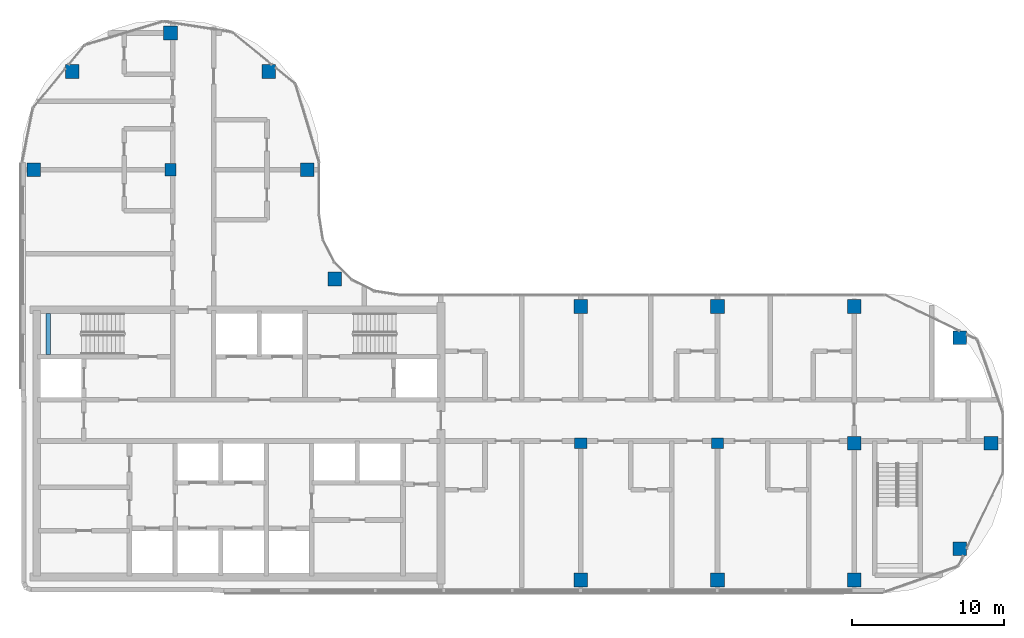
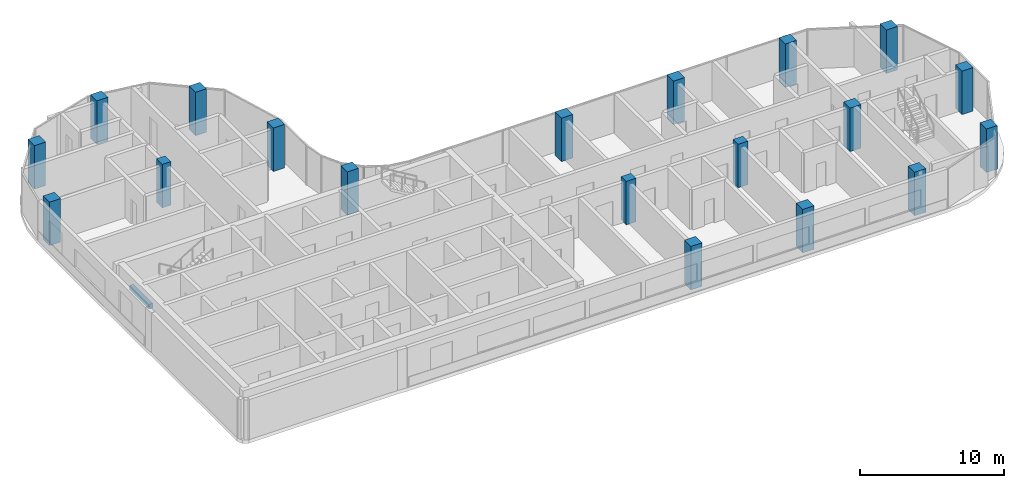
# One storey, part 1 of 20: 19 columns, 1 beam.
"""IFC4 building model written with IfcOpenShell, lengths in metres."""

from ifc_helpers import new_model, si_unit, direction, frame, origin, origin_2d, place, context, subcontext, project, spatial, rectangle, extrude, material, material_profile, profile_set, type_object, element, save


model = new_model("IFC4")

# Units and contexts
model_context = context("Model", 3, precision=1e-05, world=origin(), true_north=direction((0.0, 1.0)))
body_context = subcontext(model_context, "Body", "Model", "MODEL_VIEW")
ifc_project = project(units=[si_unit("LENGTHUNIT", "METRE"), si_unit("AREAUNIT", "SQUARE_METRE"), si_unit("VOLUMEUNIT", "CUBIC_METRE"), si_unit("PLANEANGLEUNIT", "RADIAN"), si_unit("MASSUNIT", "GRAM", prefix="KILO")], contexts=[model_context])

# Site, building, storey
site_placement = place(None, origin())
site = spatial("IfcSite", under=ifc_project, at=site_placement, CompositionType="ELEMENT")
building_placement = place(site_placement, origin())
building = spatial("IfcBuilding", under=site, at=building_placement, Name="Ogive Portal Towers", CompositionType="ELEMENT")
storey_placement = place(building_placement, frame((0.0, 0.0, 210.60009765625)))
storey = spatial("IfcBuildingStorey", under=building, at=storey_placement, Name="L52", CompositionType="ELEMENT", Elevation=210.60009765625)

# Columns
ifc_material_1 = material(Name="Concrete C60/75", Category="concrete")
ifc_material_profile_1 = material_profile(ifc_material_1, rectangle(XDim=0.800048828125, YDim=0.699951171875, at=origin_2d()), Name="RC 800x700")
ifc_profile_set_1 = profile_set([ifc_material_profile_1], Name="Concrete C60/75")
column_type_1 = type_object("IfcColumnType", Name="COLUMN RC 800x700", PredefinedType="COLUMN", material=ifc_profile_set_1)
for number, where, z_axis, x_axis, name in (
    (1, (67.5, 30.5, 0.0), (0.0, 0.0, 1.0), (1.0, 0.0, 0.0), "Column 5/B L52"),
    (2, (76.5, 30.5, 0.0), (0.0, 0.0, 1.0), (1.0, 0.0, 0.0), "Column 6/B L52"),
    (3, (40.5, 48.5, 0.0), (0.0, 0.0, 1.0), (0.0, 1.0, 0.0), "Column 2/D L52"),
):
    element("IfcColumn", number, at=place(storey_placement, frame(where, z_axis=z_axis, x_axis=x_axis)), inside=storey, type_object=column_type_1, Name=name, PredefinedType="COLUMN", context=body_context, shape_type="SweptSolid", body=[
        extrude(rectangle(XDim=0.800048828125, YDim=0.699951171875, at=origin_2d()), origin(), (0.0, 0.0, 1.0), 3.699951171875),
    ])
ifc_material_profile_2 = material_profile(ifc_material_1, rectangle(XDim=0.89990234375, YDim=0.89990234375, at=origin_2d()), Name="RC 900x900")
ifc_profile_set_2 = profile_set([ifc_material_profile_2], Name="Concrete C60/75")
column_type_2 = type_object("IfcColumnType", Name="COLUMN RC 900x900", PredefinedType="COLUMN", material=ifc_profile_set_2)
for number, where, z_axis, x_axis, name in (
    (4, (67.5, 21.5, 0.0), (0.0, 0.0, 1.0), (1.0, 0.0, 0.0), "Column 5/A L52"),
    (5, (76.5, 21.5, 0.0), (0.0, 0.0, 1.0), (1.0, 0.0, 0.0), "Column 6/A L52"),
    (6, (85.5, 21.5, 0.0), (0.0, 0.0, 1.0), (1.0, 0.0, 0.0), "Column 7/A L52"),
    (7, (92.449951171875, 23.550048828125, 0.0), (0.0, 0.0, 1.0), (1.0, 0.0, 0.0), "Column L52"),
    (8, (85.5, 30.5, 0.0), (0.0, 0.0, 1.0), (1.0, 0.0, 0.0), "Column 7/B L52"),
    (9, (94.5, 30.5, 0.0), (0.0, 0.0, 1.0), (1.0, 0.0, 0.0), "Column 8/B L52"),
    (10, (92.449951171875, 37.449951171875, 0.0), (0.0, 0.0, 1.0), (1.0, 0.0, 0.0), "Column L52"),
    (11, (67.5, 39.5, 0.0), (0.0, 0.0, 1.0), (1.0, 0.0, 0.0), "Column 5/C L52"),
    (12, (76.5, 39.5, 0.0), (0.0, 0.0, 1.0), (1.0, 0.0, 0.0), "Column 6/C L52"),
    (13, (85.5, 39.5, 0.0), (0.0, 0.0, 1.0), (1.0, 0.0, 0.0), "Column 7/C L52"),
    (14, (51.31005859375, 41.31005859375, 0.0), (0.0, 0.0, 1.0), (1.0, 0.0, 0.0), "Column L52"),
    (15, (31.5, 48.5, 0.0), (0.0, 0.0, 1.0), (1.0, 0.0, 0.0), "Column 1/D L52"),
    (16, (49.5, 48.5, 0.0), (0.0, 0.0, 1.0), (1.0, 0.0, 0.0), "Column 3/D L52"),
    (17, (34.027099609375, 54.972900390625, 0.0), (0.0, 0.0, 1.0), (1.0, 0.0, 0.0), "Column L52"),
    (18, (46.972900390625, 54.972900390625, 0.0), (0.0, 0.0, 1.0), (1.0, 0.0, 0.0), "Column L52"),
    (19, (40.5, 57.5, 0.0), (0.0, 0.0, 1.0), (1.0, 0.0, 0.0), "Column 2/E L52"),
):
    element("IfcColumn", number, at=place(storey_placement, frame(where, z_axis=z_axis, x_axis=x_axis)), inside=storey, type_object=column_type_2, Name=name, PredefinedType="COLUMN", context=body_context, shape_type="SweptSolid", body=[
        extrude(rectangle(XDim=0.89990234375, YDim=0.89990234375, at=origin_2d()), origin(), (0.0, 0.0, 1.0), 3.699951171875),
    ])

# Beam
ifc_material_2 = material(Name="Concrete C40/50", Category="concrete")
ifc_material_profile_3 = material_profile(ifc_material_2, rectangle(XDim=0.300048828125, YDim=0.39990234375, at=origin_2d()), Name="RC 300x400")
ifc_profile_set_3 = profile_set([ifc_material_profile_3], Name="Concrete C40/50")
beam_type = type_object("IfcBeamType", Name="BEAM RC 300x400", PredefinedType="BEAM", material=ifc_profile_set_3)
beam_placement = place(storey_placement, frame((32.449951171875, 36.35009765625, 1.449951171875), z_axis=(0.0, 1.0, 0.0), x_axis=(-1.0, 0.0, 0.0)))
element("IfcBeam", 20, at=beam_placement, inside=storey, type_object=beam_type, Name="Landing beam L52", PredefinedType="BEAM", context=body_context, shape_type="SweptSolid", body=[
    extrude(rectangle(XDim=0.300048828125, YDim=0.39990234375, at=origin_2d()), origin(), (0.0, 0.0, 1.0), 2.699951171875),
])

save(model, "model.ifc")
